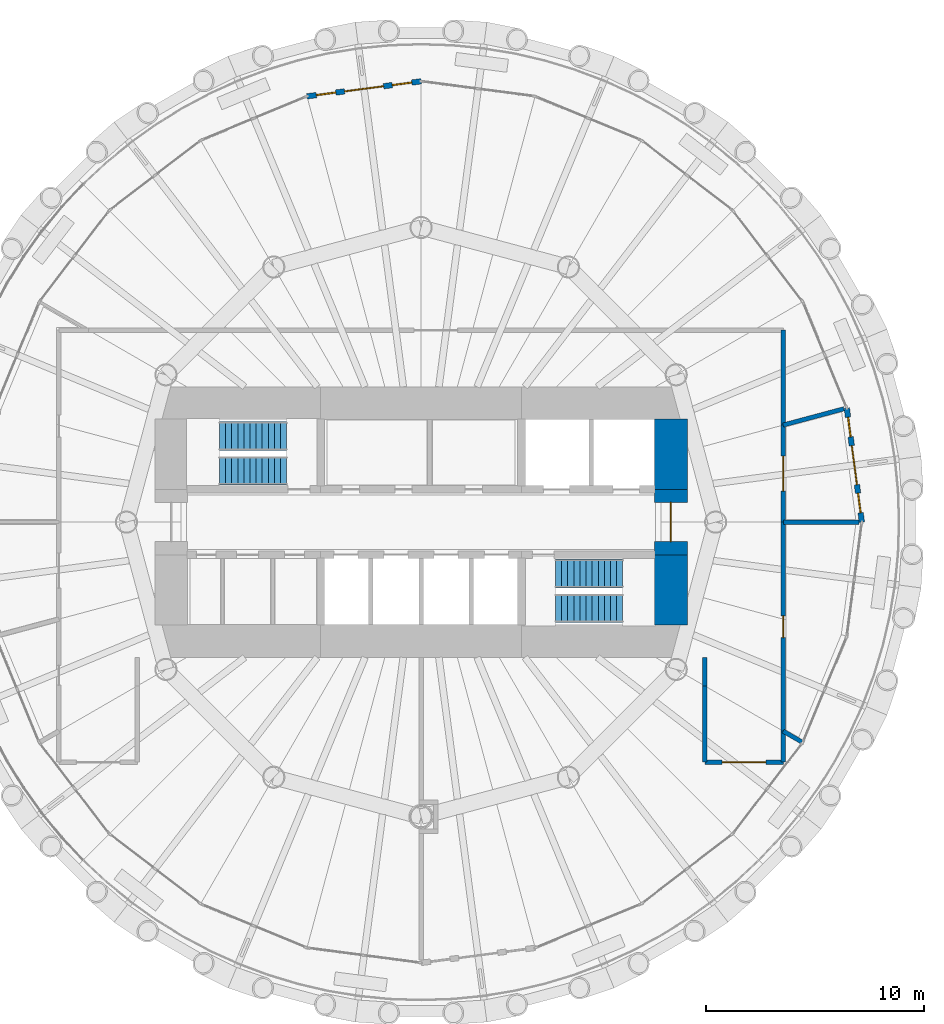
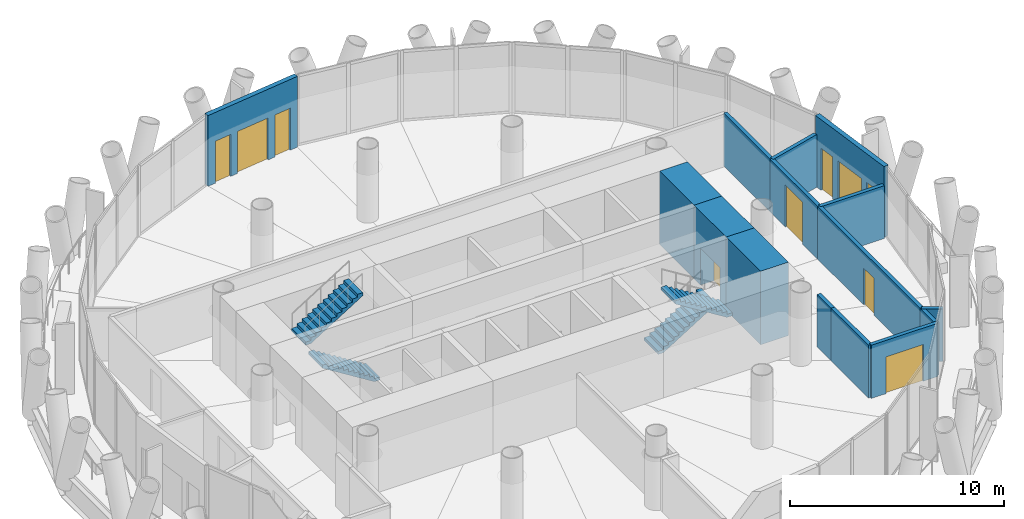
# One storey, part 10 of 13: 15 walls, 6 doors, 4 stair flights, 4 windows, 10 openings, 2 elements without a shape of their own.
"""IFC4 building model written with IfcOpenShell, lengths in metres."""

from ifc_helpers import new_model, si_unit, direction, frame, frame_2d, origin, place, context, subcontext, project, spatial, polyline, rectangle, outline, extrude, material, layer, layer_set, type_object, element, fill, aggregate, save


model = new_model("IFC4")

# Units and contexts
model_context = context("Model", 3, precision=1e-05, world=origin(), true_north=direction((0.0, 1.0)))
body_context = subcontext(model_context, "Body", "Model", "MODEL_VIEW")
ifc_project = project(units=[si_unit("LENGTHUNIT", "METRE"), si_unit("AREAUNIT", "SQUARE_METRE"), si_unit("VOLUMEUNIT", "CUBIC_METRE"), si_unit("PLANEANGLEUNIT", "RADIAN"), si_unit("MASSUNIT", "GRAM", prefix="KILO")], contexts=[model_context])

# Site, building, storey
site_placement = place(None, origin())
site = spatial("IfcSite", under=ifc_project, at=site_placement, CompositionType="ELEMENT")
building_placement = place(site_placement, origin())
building = spatial("IfcBuilding", under=site, at=building_placement, Name="Qaws Media Tower", CompositionType="ELEMENT")
storey_placement = place(building_placement, frame((0.0, 0.0, 219.199951171875)))
storey = spatial("IfcBuildingStorey", under=building, at=storey_placement, Name="L50", CompositionType="ELEMENT", Elevation=219.199951171875)

# Wall, openings, door, windows
ifc_material_1 = material(Name="Precast concrete, exposed finish", Category="concrete")
ifc_layer_1 = layer(ifc_material_1, 0.25)
ifc_layer_set_1 = layer_set([ifc_layer_1], Name="Balcony door wall 250")
wall_type_1 = type_object("IfcWallType", Name="Balcony door wall 250", PredefinedType="SOLIDWALL", material=ifc_layer_set_1)
wall_1_placement = place(storey_placement, frame((80.199951171875, 50.0, 0.0), z_axis=(0.0, 0.0, 1.0), x_axis=(-0.130516790572, 0.991446099079, 0.0)))
wall_1 = element("IfcWall", 1, at=wall_1_placement, inside=storey, type_object=wall_type_1, Name="W239 EW1 balcony door wall L50-01", PredefinedType="SOLIDWALL", context=body_context, shape_type="SweptSolid", body=[
    extrude(rectangle(XDim=5.273193359375, YDim=0.25, at=frame_2d((2.63671875, 0.0))), origin(), (0.0, 0.0, 1.0), 4.0400390625),
])
opening_1_placement = place(wall_1_placement, frame((1.736572265625, 0.0, 0.0)))
opening_1 = element("IfcOpeningElement", 2, at=opening_1_placement, cuts=wall_1, Name="Opening D7", PredefinedType="OPENING", context=body_context, shape_type="SweptSolid", body=[
    extrude(rectangle(XDim=1.800048828125, YDim=2.39990234375, at=frame_2d((0.89990234375, 1.199951171875))), frame((0.0, 0.135009765625, 0.0), z_axis=(0.0, -1.0, 0.0), x_axis=(1.0, 0.0, 0.0)), (0.0, 0.0, 1.0), 0.27001953125),
])
opening_2_placement = place(wall_1_placement, frame((0.4365234375, 0.0, 0.0)))
opening_2 = element("IfcOpeningElement", 3, at=opening_2_placement, cuts=wall_1, Name="Opening W7", PredefinedType="OPENING", context=body_context, shape_type="SweptSolid", body=[
    extrude(rectangle(XDim=0.89990234375, YDim=2.39990234375, at=frame_2d((0.449951171875, 1.199951171875))), frame((0.0, 0.135009765625, 0.0), z_axis=(0.0, -1.0, 0.0), x_axis=(1.0, 0.0, 0.0)), (0.0, 0.0, 1.0), 0.27001953125),
])
opening_3_placement = place(wall_1_placement, frame((3.9365234375, 0.0, 0.0)))
opening_3 = element("IfcOpeningElement", 4, at=opening_3_placement, cuts=wall_1, Name="Opening W7", PredefinedType="OPENING", context=body_context, shape_type="SweptSolid", body=[
    extrude(rectangle(XDim=0.89990234375, YDim=2.39990234375, at=frame_2d((0.449951171875, 1.199951171875))), frame((0.0, 0.135009765625, 0.0), z_axis=(0.0, -1.0, 0.0), x_axis=(1.0, 0.0, 0.0)), (0.0, 0.0, 1.0), 0.27001953125),
])
ifc_material_2 = material(Name="Aluminium and clear glass", Category="aluminium")
door_type_1 = type_object("IfcDoorType", Name="Balcony door pair 1800", OperationType="DOUBLE_DOOR_SLIDING", PredefinedType="DOOR", material=ifc_material_2)
door_1_placement = place(opening_1_placement, origin())
door_1 = element("IfcDoor", 5, at=door_1_placement, inside=storey, type_object=door_type_1, Name="D7 balcony door L50-01 in wall W239", OperationType="DOUBLE_DOOR_SLIDING", OverallHeight=2.39990234375, OverallWidth=1.800048828125, PredefinedType="DOOR", context=body_context, shape_type="SweptSolid", body=[
    extrude(rectangle(XDim=1.800048828125, YDim=2.39990234375, at=frame_2d((0.89990234375, 1.199951171875))), frame((0.0, 0.02490234375, 0.0), z_axis=(0.0, -1.0, 0.0), x_axis=(1.0, 0.0, 0.0)), (0.0, 0.0, 1.0), 0.050048828125),
])
fill(opening_1, door_1)
ifc_material_3 = material(Name="Aluminium and clear glass", Category="aluminium")
window_type = type_object("IfcWindowType", Name="Balcony side window 900", PartitioningType="SINGLE_PANEL", PredefinedType="WINDOW", material=ifc_material_3)
window_1_placement = place(opening_2_placement, origin())
window_1 = element("IfcWindow", 6, at=window_1_placement, inside=storey, type_object=window_type, Name="W1 balcony side light L50-01L", OverallHeight=2.39990234375, OverallWidth=0.89990234375, PartitioningType="SINGLE_PANEL", PredefinedType="WINDOW", context=body_context, shape_type="SweptSolid", body=[
    extrude(rectangle(XDim=0.89990234375, YDim=2.39990234375, at=frame_2d((0.449951171875, 1.199951171875))), frame((0.0, 0.030029296875, 0.0), z_axis=(0.0, -1.0, 0.0), x_axis=(1.0, 0.0, 0.0)), (0.0, 0.0, 1.0), 0.06005859375),
])
fill(opening_2, window_1)
window_2_placement = place(opening_3_placement, origin())
window_2 = element("IfcWindow", 7, at=window_2_placement, inside=storey, type_object=window_type, Name="W1 balcony side light L50-01R", OverallHeight=2.39990234375, OverallWidth=0.89990234375, PartitioningType="SINGLE_PANEL", PredefinedType="WINDOW", context=body_context, shape_type="SweptSolid", body=[
    extrude(rectangle(XDim=0.89990234375, YDim=2.39990234375, at=frame_2d((0.449951171875, 1.199951171875))), frame((0.0, 0.030029296875, 0.0), z_axis=(0.0, -1.0, 0.0), x_axis=(1.0, 0.0, 0.0)), (0.0, 0.0, 1.0), 0.06005859375),
])
fill(opening_3, window_2)

wall_2_placement = place(storey_placement, frame((60.0, 70.199951171875, 0.0), z_axis=(0.0, 0.0, 1.0), x_axis=(-0.991446099079, -0.130516790572, 0.0)))
wall_2 = element("IfcWall", 8, at=wall_2_placement, inside=storey, type_object=wall_type_1, Name="W238 EW1 balcony door wall L50-07", PredefinedType="SOLIDWALL", context=body_context, shape_type="SweptSolid", body=[
    extrude(rectangle(XDim=5.273193359375, YDim=0.25, at=frame_2d((2.63671875, 0.0))), origin(), (0.0, 0.0, 1.0), 4.0400390625),
])
opening_4_placement = place(wall_2_placement, frame((1.736572265625, 0.0, 0.0)))
opening_4 = element("IfcOpeningElement", 9, at=opening_4_placement, cuts=wall_2, Name="Opening D7", PredefinedType="OPENING", context=body_context, shape_type="SweptSolid", body=[
    extrude(rectangle(XDim=1.800048828125, YDim=2.39990234375, at=frame_2d((0.89990234375, 1.199951171875))), frame((0.0, 0.135009765625, 0.0), z_axis=(0.0, -1.0, 0.0), x_axis=(1.0, 0.0, 0.0)), (0.0, 0.0, 1.0), 0.27001953125),
])
opening_5_placement = place(wall_2_placement, frame((0.4365234375, 0.0, 0.0)))
opening_5 = element("IfcOpeningElement", 10, at=opening_5_placement, cuts=wall_2, Name="Opening W7", PredefinedType="OPENING", context=body_context, shape_type="SweptSolid", body=[
    extrude(rectangle(XDim=0.89990234375, YDim=2.39990234375, at=frame_2d((0.449951171875, 1.199951171875))), frame((0.0, 0.135009765625, 0.0), z_axis=(0.0, -1.0, 0.0), x_axis=(1.0, 0.0, 0.0)), (0.0, 0.0, 1.0), 0.27001953125),
])
opening_6_placement = place(wall_2_placement, frame((3.9365234375, 0.0, 0.0)))
opening_6 = element("IfcOpeningElement", 11, at=opening_6_placement, cuts=wall_2, Name="Opening W7", PredefinedType="OPENING", context=body_context, shape_type="SweptSolid", body=[
    extrude(rectangle(XDim=0.89990234375, YDim=2.39990234375, at=frame_2d((0.449951171875, 1.199951171875))), frame((0.0, 0.135009765625, 0.0), z_axis=(0.0, -1.0, 0.0), x_axis=(1.0, 0.0, 0.0)), (0.0, 0.0, 1.0), 0.27001953125),
])
door_2_placement = place(opening_4_placement, origin())
door_2 = element("IfcDoor", 12, at=door_2_placement, inside=storey, type_object=door_type_1, Name="D7 balcony door L50-07 in wall W238", OperationType="DOUBLE_DOOR_SLIDING", OverallHeight=2.39990234375, OverallWidth=1.800048828125, PredefinedType="DOOR", context=body_context, shape_type="SweptSolid", body=[
    extrude(rectangle(XDim=1.800048828125, YDim=2.39990234375, at=frame_2d((0.89990234375, 1.199951171875))), frame((0.0, 0.02490234375, 0.0), z_axis=(0.0, -1.0, 0.0), x_axis=(1.0, 0.0, 0.0)), (0.0, 0.0, 1.0), 0.050048828125),
])
fill(opening_4, door_2)
window_3_placement = place(opening_5_placement, origin())
window_3 = element("IfcWindow", 13, at=window_3_placement, inside=storey, type_object=window_type, Name="W1 balcony side light L50-07L", OverallHeight=2.39990234375, OverallWidth=0.89990234375, PartitioningType="SINGLE_PANEL", PredefinedType="WINDOW", context=body_context, shape_type="SweptSolid", body=[
    extrude(rectangle(XDim=0.89990234375, YDim=2.39990234375, at=frame_2d((0.449951171875, 1.199951171875))), frame((0.0, 0.030029296875, 0.0), z_axis=(0.0, -1.0, 0.0), x_axis=(1.0, 0.0, 0.0)), (0.0, 0.0, 1.0), 0.06005859375),
])
fill(opening_5, window_3)
window_4_placement = place(opening_6_placement, origin())
window_4 = element("IfcWindow", 14, at=window_4_placement, inside=storey, type_object=window_type, Name="W1 balcony side light L50-07R", OverallHeight=2.39990234375, OverallWidth=0.89990234375, PartitioningType="SINGLE_PANEL", PredefinedType="WINDOW", context=body_context, shape_type="SweptSolid", body=[
    extrude(rectangle(XDim=0.89990234375, YDim=2.39990234375, at=frame_2d((0.449951171875, 1.199951171875))), frame((0.0, 0.030029296875, 0.0), z_axis=(0.0, -1.0, 0.0), x_axis=(1.0, 0.0, 0.0)), (0.0, 0.0, 1.0), 0.06005859375),
])
fill(opening_6, window_4)

# Wall
ifc_material_4 = material(Name="Concrete C60/75", Category="concrete")
ifc_layer_2 = layer(ifc_material_4, 1.5)
ifc_layer_set_2 = layer_set([ifc_layer_2], Name="Core wall 1500")
wall_type_2 = type_object("IfcWallType", Name="Core wall 1500", PredefinedType="SHEAR", material=ifc_layer_set_2)
wall_3_placement = place(storey_placement, frame((71.449951171875, 45.280029296875, 0.0), z_axis=(0.0, 0.0, 1.0), x_axis=(0.0, 1.0, 0.0)))
element("IfcWall", 15, at=wall_3_placement, inside=storey, type_object=wall_type_2, Name="W383 SW13 core wall ES L50", PredefinedType="SHEAR", context=body_context, shape_type="SweptSolid", body=[
    extrude(rectangle(XDim=3.219970703125, YDim=1.5, at=frame_2d((1.60986328125, 0.0))), origin(), (0.0, 0.0, 1.0), 4.199951171875),
])

# Wall, opening, door
wall_4_placement = place(storey_placement, frame((71.449951171875, 48.5, 0.0), z_axis=(0.0, 0.0, 1.0), x_axis=(0.0, 1.0, 0.0)))
wall_4 = element("IfcWall", 16, at=wall_4_placement, inside=storey, type_object=wall_type_2, Name="W384 SW13 core wall E L50", PredefinedType="SHEAR", context=body_context, shape_type="SweptSolid", body=[
    extrude(rectangle(XDim=3.0, YDim=1.5, at=frame_2d((1.5, 0.0))), origin(), (0.0, 0.0, 1.0), 4.199951171875),
])
opening_7_placement = place(wall_4_placement, frame((0.60009765625, 0.0, 0.0)))
opening_7 = element("IfcOpeningElement", 17, at=opening_7_placement, cuts=wall_4, Name="Opening D2", PredefinedType="OPENING", context=body_context, shape_type="SweptSolid", body=[
    extrude(rectangle(XDim=1.800048828125, YDim=2.10009765625, at=frame_2d((0.89990234375, 1.050048828125))), frame((0.0, 0.760009765625, 0.0), z_axis=(0.0, -1.0, 0.0), x_axis=(1.0, 0.0, 0.0)), (0.0, 0.0, 1.0), 1.52001953125),
])
ifc_material_5 = material(Name="Steel and glass, fire rated", Category="steel")
door_type_2 = type_object("IfcDoorType", Name="Lobby door pair 1800 FD60", OperationType="DOUBLE_DOOR_DOUBLE_SWING", PredefinedType="DOOR", material=ifc_material_5)
door_3_placement = place(opening_7_placement, origin())
door_3 = element("IfcDoor", 18, at=door_3_placement, inside=storey, type_object=door_type_2, Name="D2 core lobby door E L50 in wall W384", OperationType="DOUBLE_DOOR_DOUBLE_SWING", OverallHeight=2.10009765625, OverallWidth=1.800048828125, PredefinedType="DOOR", context=body_context, shape_type="SweptSolid", body=[
    extrude(rectangle(XDim=1.800048828125, YDim=2.10009765625, at=frame_2d((0.89990234375, 1.050048828125))), frame((0.0, 0.02490234375, 0.0), z_axis=(0.0, -1.0, 0.0), x_axis=(1.0, 0.0, 0.0)), (0.0, 0.0, 1.0), 0.050048828125),
])
fill(opening_7, door_3)

# Walls
wall_5_placement = place(storey_placement, frame((71.449951171875, 51.5, 0.0), z_axis=(0.0, 0.0, 1.0), x_axis=(0.0, 1.0, 0.0)))
element("IfcWall", 19, at=wall_5_placement, inside=storey, type_object=wall_type_2, Name="W385 SW13 core wall EN L50", PredefinedType="SHEAR", context=body_context, shape_type="SweptSolid", body=[
    extrude(rectangle(XDim=3.219970703125, YDim=1.5, at=frame_2d((1.60986328125, 0.0))), origin(), (0.0, 0.0, 1.0), 4.199951171875),
])
ifc_material_6 = material(Name="Gypsum board on galvanised metal studs, acoustic double stud, deflection head", Category="gypsum")
ifc_layer_3 = layer(ifc_material_6, 0.199951171875)
ifc_layer_set_3 = layer_set([ifc_layer_3], Name="Room partition 200")
wall_type_3 = type_object("IfcWallType", Name="Room partition 200", PredefinedType="PARTITIONING", material=ifc_layer_set_3)
wall_6_placement = place(storey_placement, frame((76.60009765625, 58.800048828125, 0.0), z_axis=(0.0, 0.0, 1.0), x_axis=(0.0, -1.0, 0.0)))
element("IfcWall", 20, at=wall_6_placement, inside=storey, type_object=wall_type_3, Name="W1581 IW3 partition L50", PredefinedType="PARTITIONING", context=body_context, shape_type="SweptSolid", body=[
    extrude(rectangle(XDim=4.35205078125, YDim=0.199951171875, at=frame_2d((2.176025390625, 0.0))), origin(), (0.0, 0.0, 1.0), 3.011962890625),
])

# Wall, opening, door
wall_7_placement = place(storey_placement, frame((76.60009765625, 54.447998046875, 0.0), z_axis=(0.0, 0.0, 1.0), x_axis=(0.0, -1.0, 0.0)))
wall_7 = element("IfcWall", 21, at=wall_7_placement, inside=storey, type_object=wall_type_3, Name="W1580 IW3 partition L50", PredefinedType="PARTITIONING", context=body_context, shape_type="SweptSolid", body=[
    extrude(rectangle(XDim=4.447998046875, YDim=0.199951171875, at=frame_2d((2.22412109375, 0.0))), origin(), (0.0, 0.0, 1.0), 3.011962890625),
])
opening_8_placement = place(wall_7_placement, frame((1.424072265625, 0.0, 0.0)))
opening_8 = element("IfcOpeningElement", 22, at=opening_8_placement, cuts=wall_7, Name="Opening D16", PredefinedType="OPENING", context=body_context, shape_type="SweptSolid", body=[
    extrude(rectangle(XDim=1.60009765625, YDim=2.39990234375, at=frame_2d((0.800048828125, 1.199951171875))), frame((0.0, 0.10986328125, 0.0), z_axis=(0.0, -1.0, 0.0), x_axis=(1.0, 0.0, 0.0)), (0.0, 0.0, 1.0), 0.219970703125),
])
ifc_material_7 = material(Name="Glazed aluminium, fire rated", Category="aluminium")
door_type_3 = type_object("IfcDoorType", Name="Tenant entrance door pair 1600x2400", OperationType="DOUBLE_DOOR_DOUBLE_SWING", PredefinedType="DOOR", material=ifc_material_7)
door_4_placement = place(opening_8_placement, origin())
door_4 = element("IfcDoor", 23, at=door_4_placement, inside=storey, type_object=door_type_3, Name="D16 Tenant reception door L50 in wall W1580", OperationType="DOUBLE_DOOR_DOUBLE_SWING", OverallHeight=2.39990234375, OverallWidth=1.60009765625, PredefinedType="DOOR", context=body_context, shape_type="SweptSolid", body=[
    extrude(rectangle(XDim=1.60009765625, YDim=2.39990234375, at=frame_2d((0.800048828125, 1.199951171875))), frame((0.0, 0.02490234375, 0.0), z_axis=(0.0, -1.0, 0.0), x_axis=(1.0, 0.0, 0.0)), (0.0, 0.0, 1.0), 0.050048828125),
])
fill(opening_8, door_4)

wall_8_placement = place(storey_placement, frame((76.60009765625, 50.0, 0.0), z_axis=(0.0, 0.0, 1.0), x_axis=(0.0, -1.0, 0.0)))
wall_8 = element("IfcWall", 24, at=wall_8_placement, inside=storey, type_object=wall_type_3, Name="W1401 IW3 partition L50", PredefinedType="PARTITIONING", context=body_context, shape_type="SweptSolid", body=[
    extrude(rectangle(XDim=9.583984375, YDim=0.199951171875, at=frame_2d((4.7919921875, 0.0))), origin(), (0.0, 0.0, 1.0), 3.011962890625),
])
opening_9_placement = place(wall_8_placement, frame((4.2919921875, 0.0, 0.0)))
opening_9 = element("IfcOpeningElement", 25, at=opening_9_placement, cuts=wall_8, Name="Opening D5", PredefinedType="OPENING", context=body_context, shape_type="SweptSolid", body=[
    extrude(rectangle(XDim=1.0, YDim=2.10009765625, at=frame_2d((0.5, 1.050048828125))), frame((0.0, 0.10986328125, 0.0), z_axis=(0.0, -1.0, 0.0), x_axis=(1.0, 0.0, 0.0)), (0.0, 0.0, 1.0), 0.219970703125),
])
ifc_material_8 = material(Name="Timber veneered, acoustic seal", Category="wood")
door_type_4 = type_object("IfcDoorType", Name="Room door 1000", OperationType="SINGLE_SWING_LEFT", PredefinedType="DOOR", material=ifc_material_8)
door_5_placement = place(opening_9_placement, origin())
door_5 = element("IfcDoor", 26, at=door_5_placement, inside=storey, type_object=door_type_4, Name="D5 Tenant office door L50 in wall W1401", OperationType="SINGLE_SWING_LEFT", OverallHeight=2.10009765625, OverallWidth=1.0, PredefinedType="DOOR", context=body_context, shape_type="SweptSolid", body=[
    extrude(rectangle(XDim=1.0, YDim=2.10009765625, at=frame_2d((0.5, 1.050048828125))), frame((0.0, 0.02490234375, 0.0), z_axis=(0.0, -1.0, 0.0), x_axis=(1.0, 0.0, 0.0)), (0.0, 0.0, 1.0), 0.050048828125),
])
fill(opening_9, door_5)

# Wall
wall_9_placement = place(storey_placement, frame((76.60009765625, 40.416015625, 0.0), z_axis=(0.0, 0.0, 1.0), x_axis=(0.0, -1.0, 0.0)))
element("IfcWall", 27, at=wall_9_placement, inside=storey, type_object=wall_type_3, Name="W1400 IW3 partition L50", PredefinedType="PARTITIONING", context=body_context, shape_type="SweptSolid", body=[
    extrude(rectangle(XDim=1.416015625, YDim=0.199951171875, at=frame_2d((0.7080078125, 0.0))), origin(), (0.0, 0.0, 1.0), 3.011962890625),
])

# Wall, opening, door
wall_10_placement = place(storey_placement, frame((76.60009765625, 39.0, 0.0), z_axis=(0.0, 0.0, 1.0), x_axis=(-1.0, 0.0, 0.0)))
wall_10 = element("IfcWall", 28, at=wall_10_placement, inside=storey, type_object=wall_type_3, Name="W1262 IW3 partition L50", PredefinedType="PARTITIONING", context=body_context, shape_type="SweptSolid", body=[
    extrude(rectangle(XDim=3.60009765625, YDim=0.199951171875, at=frame_2d((1.800048828125, 0.0))), origin(), (0.0, 0.0, 1.0), 3.0400390625),
])
opening_10_placement = place(wall_10_placement, frame((0.800048828125, 0.0, 0.0)))
opening_10 = element("IfcOpeningElement", 29, at=opening_10_placement, cuts=wall_10, Name="Opening D6", PredefinedType="OPENING", context=body_context, shape_type="SweptSolid", body=[
    extrude(rectangle(XDim=2.0, YDim=2.10009765625, at=frame_2d((1.0, 1.050048828125))), frame((0.0, 0.10986328125, 0.0), z_axis=(0.0, -1.0, 0.0), x_axis=(1.0, 0.0, 0.0)), (0.0, 0.0, 1.0), 0.219970703125),
])
ifc_material_9 = material(Name="Steel, acoustic, fire rated", Category="steel")
door_type_5 = type_object("IfcDoorType", Name="Room door pair 2000", OperationType="DOUBLE_DOOR_DOUBLE_SWING", PredefinedType="DOOR", material=ifc_material_9)
door_6_placement = place(opening_10_placement, origin())
door_6 = element("IfcDoor", 30, at=door_6_placement, inside=storey, type_object=door_type_5, Name="D6 Tenant office door L50 in wall W1262", OperationType="DOUBLE_DOOR_DOUBLE_SWING", OverallHeight=2.10009765625, OverallWidth=2.0, PredefinedType="DOOR", context=body_context, shape_type="SweptSolid", body=[
    extrude(rectangle(XDim=2.0, YDim=2.10009765625, at=frame_2d((1.0, 1.050048828125))), frame((0.0, 0.02490234375, 0.0), z_axis=(0.0, -1.0, 0.0), x_axis=(1.0, 0.0, 0.0)), (0.0, 0.0, 1.0), 0.050048828125),
])
fill(opening_10, door_6)

# Walls
wall_11_placement = place(storey_placement, frame((73.0, 39.0, 0.0), z_axis=(0.0, 0.0, 1.0), x_axis=(0.0, 1.0, 0.0)))
element("IfcWall", 31, at=wall_11_placement, inside=storey, type_object=wall_type_3, Name="W1371 IW3 partition L50", PredefinedType="PARTITIONING", context=body_context, shape_type="SweptSolid", body=[
    extrude(rectangle(XDim=3.494384765625, YDim=0.199951171875, at=frame_2d((1.7470703125, 0.0))), origin(), (0.0, 0.0, 1.0), 3.011962890625),
])
wall_12_placement = place(storey_placement, frame((73.0, 42.494384765625, 0.0), z_axis=(0.0, 0.0, 1.0), x_axis=(0.0, 1.0, 0.0)))
element("IfcWall", 32, at=wall_12_placement, inside=storey, type_object=wall_type_3, Name="W1542 IW3 partition L50", PredefinedType="PARTITIONING", context=body_context, shape_type="SweptSolid", body=[
    extrude(rectangle(XDim=1.3056640625, YDim=0.199951171875, at=frame_2d((0.65283203125, 0.0))), origin(), (0.0, 0.0, 1.0), 3.011962890625),
])
wall_13_placement = place(storey_placement, frame((76.60009765625, 50.0, 0.0), z_axis=(0.0, 0.0, 1.0), x_axis=(1.0, 0.0, 0.0)))
element("IfcWall", 33, at=wall_13_placement, inside=storey, type_object=wall_type_3, Name="W1589 IW3 partition L50", PredefinedType="PARTITIONING", context=body_context, shape_type="SweptSolid", body=[
    extrude(rectangle(XDim=3.4599609375, YDim=0.199951171875, at=frame_2d((1.72998046875, 0.0))), origin(), (0.0, 0.0, 1.0), 3.011962890625),
])
wall_14_placement = place(storey_placement, frame((76.594482421875, 54.446533203125, 0.0), z_axis=(0.0, 0.0, 1.0), x_axis=(0.965931782, 0.258796817064, 0.0)))
element("IfcWall", 34, at=wall_14_placement, inside=storey, type_object=wall_type_3, Name="W1588 IW3 partition L50", PredefinedType="PARTITIONING", context=body_context, shape_type="SweptSolid", body=[
    extrude(rectangle(XDim=2.880126953125, YDim=0.199951171875, at=frame_2d((1.43994140625, 0.0))), origin(), (0.0, 0.0, 1.0), 3.011962890625),
])
wall_15_placement = place(storey_placement, frame((76.593017578125, 40.419921875, 0.0), z_axis=(0.0, 0.0, 1.0), x_axis=(0.866010750942, -0.50002537861, 0.0)))
element("IfcWall", 35, at=wall_15_placement, inside=storey, type_object=wall_type_3, Name="W1587 IW3 partition L50", PredefinedType="PARTITIONING", context=body_context, shape_type="SweptSolid", body=[
    extrude(rectangle(XDim=1.0, YDim=0.199951171875, at=frame_2d((0.5, 0.0))), origin(), (0.0, 0.0, 1.0), 3.011962890625),
])

# Stair, stair flights
ifc_material_10 = material(Name="Concrete C40/50", Category="concrete")
stair_type = type_object("IfcStairType", Name="Exit stair", PredefinedType="HALF_TURN_STAIR", material=ifc_material_10)
stair_1_placement = place(storey_placement, origin())
stair_1 = element("IfcStair", 36, at=stair_1_placement, inside=storey, type_object=stair_type, Name="S1 exit stair L50", PredefinedType="HALF_TURN_STAIR")
ifc_material_11 = material(Name="Concrete C40/50", Category="concrete")
stair_flight_type = type_object("IfcStairFlightType", Name="Stair flight 1310", PredefinedType="STRAIGHT", material=ifc_material_11)
stair_flight_1_placement = place(storey_placement, frame((53.840087890625, 52.35498046875, 0.0), z_axis=(0.0, 0.0, 1.0), x_axis=(-1.0, 0.0, 0.0)))
stair_flight_1 = element("IfcStairFlight", 37, at=stair_flight_1_placement, type_object=stair_flight_type, Name="S1 flight 1", NumberOfRisers=12, NumberOfTreads=11, PredefinedType="STRAIGHT", RiserHeight=0.175, TreadLength=0.28, context=body_context, shape_type="SweptSolid", body=[
    extrude(outline(polyline([(0.0, 0.0), (0.0, 0.175048828125), (0.280029296875, 0.175048828125), (0.280029296875, 0.35009765625), (0.56005859375, 0.35009765625), (0.56005859375, 0.52490234375), (0.840087890625, 0.52490234375), (0.840087890625, 0.699951171875), (1.1201171875, 0.699951171875), (1.1201171875, 0.875), (1.39990234375, 0.875), (1.39990234375, 1.050048828125), (1.679931640625, 1.050048828125), (1.679931640625, 1.22509765625), (1.9599609375, 1.22509765625), (1.9599609375, 1.39990234375), (2.239990234375, 1.39990234375), (2.239990234375, 1.574951171875), (2.52001953125, 1.574951171875), (2.52001953125, 1.75), (2.800048828125, 1.75), (2.800048828125, 1.925048828125), (3.080078125, 1.925048828125), (3.080078125, 2.10009765625), (3.080078125, 1.748291015625), (0.28271484375, 0.0), (0.0, 0.0)])), frame((0.0, 0.655029296875, 0.0), z_axis=(0.0, -1.0, 0.0), x_axis=(1.0, 0.0, 0.0)), (0.0, 0.0, 1.0), 1.31005859375),
])
stair_flight_2_placement = place(storey_placement, frame((50.760009765625, 53.945068359375, 2.10009765625), z_axis=(0.0, 0.0, 1.0), x_axis=(1.0, 0.0, 0.0)))
stair_flight_2 = element("IfcStairFlight", 38, at=stair_flight_2_placement, type_object=stair_flight_type, Name="S1 flight 2", NumberOfRisers=12, NumberOfTreads=11, PredefinedType="STRAIGHT", RiserHeight=0.175, TreadLength=0.28, context=body_context, shape_type="SweptSolid", body=[
    extrude(outline(polyline([(0.0, 0.0), (0.0, 0.175048828125), (0.280029296875, 0.175048828125), (0.280029296875, 0.35009765625), (0.56005859375, 0.35009765625), (0.56005859375, 0.52490234375), (0.840087890625, 0.52490234375), (0.840087890625, 0.699951171875), (1.1201171875, 0.699951171875), (1.1201171875, 0.875), (1.39990234375, 0.875), (1.39990234375, 1.050048828125), (1.679931640625, 1.050048828125), (1.679931640625, 1.22509765625), (1.9599609375, 1.22509765625), (1.9599609375, 1.39990234375), (2.239990234375, 1.39990234375), (2.239990234375, 1.574951171875), (2.52001953125, 1.574951171875), (2.52001953125, 1.75), (2.800048828125, 1.75), (2.800048828125, 1.925048828125), (3.080078125, 1.925048828125), (3.080078125, 2.10009765625), (3.080078125, 1.748291015625), (0.28271484375, 0.0), (0.0, 0.0)])), frame((0.0, 0.655029296875, 0.0), z_axis=(0.0, -1.0, 0.0), x_axis=(1.0, 0.0, 0.0)), (0.0, 0.0, 1.0), 1.31005859375),
])
aggregate(stair_1, [stair_flight_1, stair_flight_2])

stair_2_placement = place(storey_placement, origin())
stair_2 = element("IfcStair", 39, at=stair_2_placement, inside=storey, type_object=stair_type, Name="S2 exit stair L50", PredefinedType="HALF_TURN_STAIR")
stair_flight_3_placement = place(storey_placement, frame((66.159912109375, 47.64501953125, 0.0), z_axis=(0.0, 0.0, 1.0), x_axis=(1.0, 0.0, 0.0)))
stair_flight_3 = element("IfcStairFlight", 40, at=stair_flight_3_placement, type_object=stair_flight_type, Name="S2 flight 1", NumberOfRisers=12, NumberOfTreads=11, PredefinedType="STRAIGHT", RiserHeight=0.175, TreadLength=0.28, context=body_context, shape_type="SweptSolid", body=[
    extrude(outline(polyline([(0.0, 0.0), (0.0, 0.175048828125), (0.280029296875, 0.175048828125), (0.280029296875, 0.35009765625), (0.56005859375, 0.35009765625), (0.56005859375, 0.52490234375), (0.840087890625, 0.52490234375), (0.840087890625, 0.699951171875), (1.1201171875, 0.699951171875), (1.1201171875, 0.875), (1.39990234375, 0.875), (1.39990234375, 1.050048828125), (1.679931640625, 1.050048828125), (1.679931640625, 1.22509765625), (1.9599609375, 1.22509765625), (1.9599609375, 1.39990234375), (2.239990234375, 1.39990234375), (2.239990234375, 1.574951171875), (2.52001953125, 1.574951171875), (2.52001953125, 1.75), (2.800048828125, 1.75), (2.800048828125, 1.925048828125), (3.080078125, 1.925048828125), (3.080078125, 2.10009765625), (3.080078125, 1.748291015625), (0.28271484375, 0.0), (0.0, 0.0)])), frame((0.0, 0.655029296875, 0.0), z_axis=(0.0, -1.0, 0.0), x_axis=(1.0, 0.0, 0.0)), (0.0, 0.0, 1.0), 1.31005859375),
])
stair_flight_4_placement = place(storey_placement, frame((69.239990234375, 46.054931640625, 2.10009765625), z_axis=(0.0, 0.0, 1.0), x_axis=(-1.0, 0.0, 0.0)))
stair_flight_4 = element("IfcStairFlight", 41, at=stair_flight_4_placement, type_object=stair_flight_type, Name="S2 flight 2", NumberOfRisers=12, NumberOfTreads=11, PredefinedType="STRAIGHT", RiserHeight=0.175, TreadLength=0.28, context=body_context, shape_type="SweptSolid", body=[
    extrude(outline(polyline([(0.0, 0.0), (0.0, 0.175048828125), (0.280029296875, 0.175048828125), (0.280029296875, 0.35009765625), (0.56005859375, 0.35009765625), (0.56005859375, 0.52490234375), (0.840087890625, 0.52490234375), (0.840087890625, 0.699951171875), (1.1201171875, 0.699951171875), (1.1201171875, 0.875), (1.39990234375, 0.875), (1.39990234375, 1.050048828125), (1.679931640625, 1.050048828125), (1.679931640625, 1.22509765625), (1.9599609375, 1.22509765625), (1.9599609375, 1.39990234375), (2.239990234375, 1.39990234375), (2.239990234375, 1.574951171875), (2.52001953125, 1.574951171875), (2.52001953125, 1.75), (2.800048828125, 1.75), (2.800048828125, 1.925048828125), (3.080078125, 1.925048828125), (3.080078125, 2.10009765625), (3.080078125, 1.748291015625), (0.28271484375, 0.0), (0.0, 0.0)])), frame((0.0, 0.655029296875, 0.0), z_axis=(0.0, -1.0, 0.0), x_axis=(1.0, 0.0, 0.0)), (0.0, 0.0, 1.0), 1.31005859375),
])
aggregate(stair_2, [stair_flight_3, stair_flight_4])

save(model, "model.ifc")
